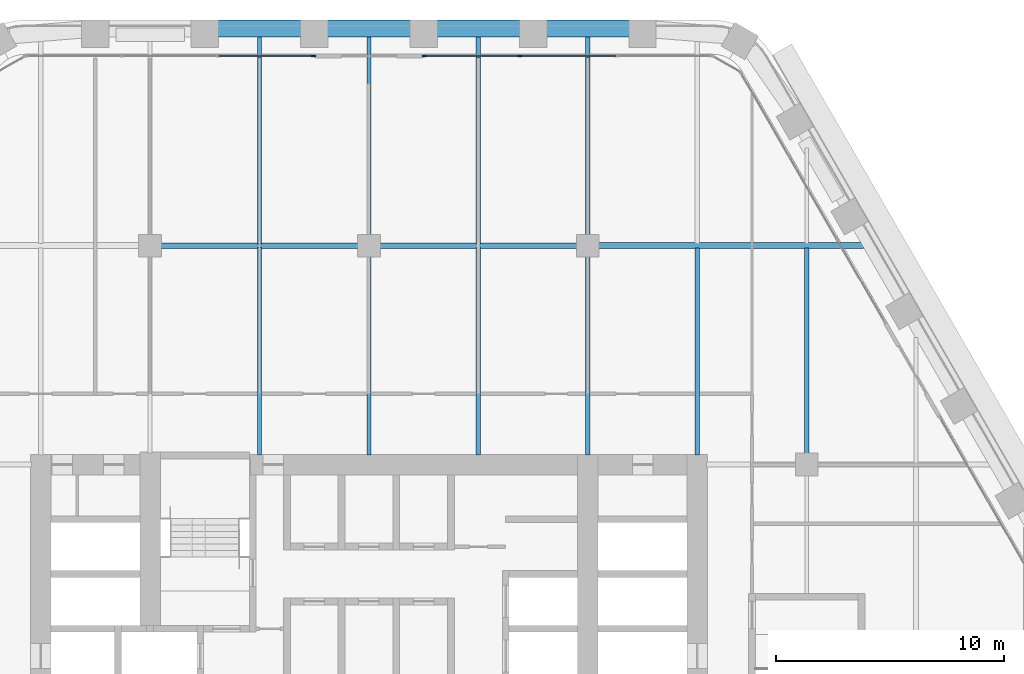
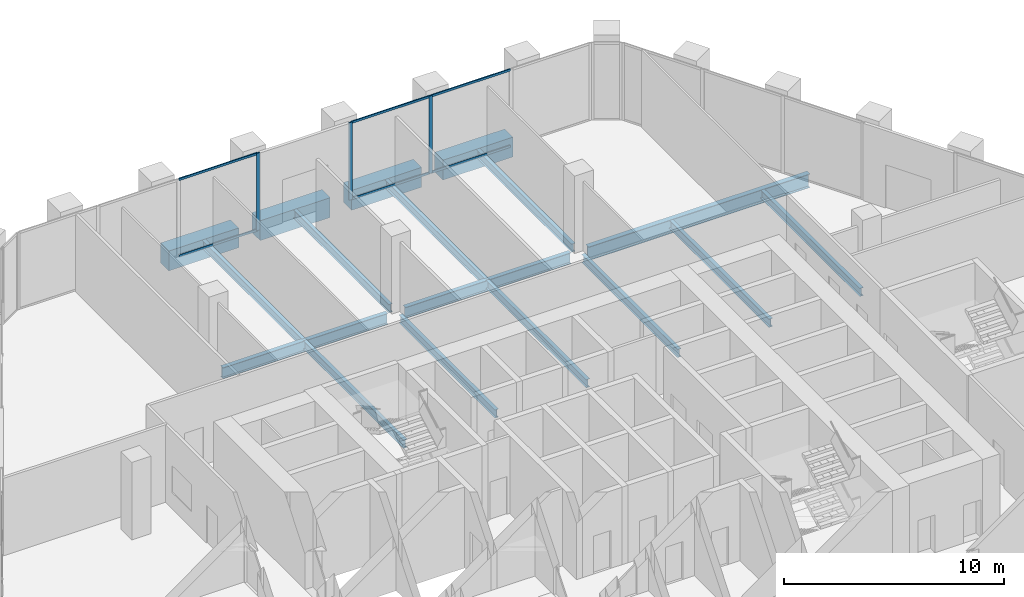
# One storey, part 10 of 27: 17 beams, 9 members, 2 elements without a shape of their own.
"""IFC4 building model written with IfcOpenShell, lengths in metres."""

from ifc_helpers import new_model, si_unit, direction, frame, origin, origin_2d, place, context, subcontext, project, spatial, rectangle, i_section, extrude, material, material_profile, profile_set, type_object, element, aggregate, save


model = new_model("IFC4")

# Units and contexts
model_context = context("Model", 3, precision=1e-05, world=origin(), true_north=direction((0.0, 1.0)))
body_context = subcontext(model_context, "Body", "Model", "MODEL_VIEW")
ifc_project = project(units=[si_unit("LENGTHUNIT", "METRE"), si_unit("AREAUNIT", "SQUARE_METRE"), si_unit("VOLUMEUNIT", "CUBIC_METRE"), si_unit("PLANEANGLEUNIT", "RADIAN"), si_unit("MASSUNIT", "GRAM", prefix="KILO")], contexts=[model_context])

# Site, building, storey
site_placement = place(None, origin())
site = spatial("IfcSite", under=ifc_project, at=site_placement, CompositionType="ELEMENT")
building_placement = place(site_placement, origin())
building = spatial("IfcBuilding", under=site, at=building_placement, Name="Kolab Exchange Tower", CompositionType="ELEMENT")
storey_placement = place(building_placement, frame((0.0, 0.0, 109.39990234375)))
storey = spatial("IfcBuildingStorey", under=building, at=storey_placement, Name="L21", CompositionType="ELEMENT", Elevation=109.39990234375)

# Beams
ifc_material_1 = material(Name="Steel S355", Category="steel")
ifc_material_profile_1 = material_profile(ifc_material_1, i_section(OverallWidth=0.18994140625, OverallDepth=0.45703125, WebThickness=0.009033203125, FlangeThickness=0.014404296875, at=origin_2d()), Name="W460X74")
ifc_profile_set_1 = profile_set([ifc_material_profile_1], Name="Steel S355")
beam_type_1 = type_object("IfcBeamType", Name="FLOOR BEAM W460X74", PredefinedType="BEAM", material=ifc_profile_set_1)
beam_1_placement = place(storey_placement, frame((-4.800048828125, 10.010009765625, -0.428466796875), z_axis=(0.0, 1.0, 0.0), x_axis=(-1.0, 0.0, 0.0)))
element("IfcBeam", 1, at=beam_1_placement, inside=storey, type_object=beam_type_1, Name="beam/L21/fr/022", PredefinedType="BEAM", context=body_context, shape_type="SweptSolid", body=[
    extrude(i_section(OverallWidth=0.18994140625, OverallDepth=0.45703125, WebThickness=0.009033203125, FlangeThickness=0.014404296875, at=origin_2d()), origin(), (0.0, 0.0, 1.0), 9.115966796875),
])
beam_2_placement = place(storey_placement, frame((-4.800048828125, 19.27392578125, -0.428466796875), z_axis=(0.0, 1.0, 0.0), x_axis=(-1.0, 0.0, 0.0)))
element("IfcBeam", 2, at=beam_2_placement, inside=storey, type_object=beam_type_1, Name="beam/L21/fr/023", PredefinedType="BEAM", context=body_context, shape_type="SweptSolid", body=[
    extrude(i_section(OverallWidth=0.18994140625, OverallDepth=0.45703125, WebThickness=0.009033203125, FlangeThickness=0.014404296875, at=origin_2d()), origin(), (0.0, 0.0, 1.0), 9.114501953125),
])
beam_3_placement = place(storey_placement, frame((0.0, 10.010009765625, -0.428466796875), z_axis=(0.0, 1.0, 0.0), x_axis=(-1.0, 0.0, 0.0)))
element("IfcBeam", 3, at=beam_3_placement, inside=storey, type_object=beam_type_1, Name="beam/L21/fr/026", PredefinedType="BEAM", context=body_context, shape_type="SweptSolid", body=[
    extrude(i_section(OverallWidth=0.18994140625, OverallDepth=0.45703125, WebThickness=0.009033203125, FlangeThickness=0.014404296875, at=origin_2d()), origin(), (0.0, 0.0, 1.0), 8.72998046875),
])
beam_4_placement = place(storey_placement, frame((0.0, 19.659912109375, -0.428466796875), z_axis=(0.0, 1.0, 0.0), x_axis=(-1.0, 0.0, 0.0)))
element("IfcBeam", 4, at=beam_4_placement, inside=storey, type_object=beam_type_1, Name="beam/L21/fr/027", PredefinedType="BEAM", context=body_context, shape_type="SweptSolid", body=[
    extrude(i_section(OverallWidth=0.18994140625, OverallDepth=0.45703125, WebThickness=0.009033203125, FlangeThickness=0.014404296875, at=origin_2d()), origin(), (0.0, 0.0, 1.0), 8.728515625),
])
beam_5_placement = place(storey_placement, frame((4.800048828125, 10.010009765625, -0.428466796875), z_axis=(0.0, 1.0, 0.0), x_axis=(-1.0, 0.0, 0.0)))
element("IfcBeam", 5, at=beam_5_placement, inside=storey, type_object=beam_type_1, Name="beam/L21/fr/030", PredefinedType="BEAM", context=body_context, shape_type="SweptSolid", body=[
    extrude(i_section(OverallWidth=0.18994140625, OverallDepth=0.45703125, WebThickness=0.009033203125, FlangeThickness=0.014404296875, at=origin_2d()), origin(), (0.0, 0.0, 1.0), 9.115966796875),
])
beam_6_placement = place(storey_placement, frame((4.800048828125, 19.27392578125, -0.428466796875), z_axis=(0.0, 1.0, 0.0), x_axis=(-1.0, 0.0, 0.0)))
element("IfcBeam", 6, at=beam_6_placement, inside=storey, type_object=beam_type_1, Name="beam/L21/fr/031", PredefinedType="BEAM", context=body_context, shape_type="SweptSolid", body=[
    extrude(i_section(OverallWidth=0.18994140625, OverallDepth=0.45703125, WebThickness=0.009033203125, FlangeThickness=0.014404296875, at=origin_2d()), origin(), (0.0, 0.0, 1.0), 9.114501953125),
])
beam_7_placement = place(storey_placement, frame((9.60009765625, 10.010009765625, -0.428466796875), z_axis=(0.0, 1.0, 0.0), x_axis=(-1.0, 0.0, 0.0)))
element("IfcBeam", 7, at=beam_7_placement, inside=storey, type_object=beam_type_1, Name="beam/L21/fr/034", PredefinedType="BEAM", context=body_context, shape_type="SweptSolid", body=[
    extrude(i_section(OverallWidth=0.18994140625, OverallDepth=0.45703125, WebThickness=0.009033203125, FlangeThickness=0.014404296875, at=origin_2d()), origin(), (0.0, 0.0, 1.0), 8.72998046875),
])
beam_8_placement = place(storey_placement, frame((9.60009765625, 19.659912109375, -0.428466796875), z_axis=(0.0, 1.0, 0.0), x_axis=(-1.0, 0.0, 0.0)))
element("IfcBeam", 8, at=beam_8_placement, inside=storey, type_object=beam_type_1, Name="beam/L21/fr/035", PredefinedType="BEAM", context=body_context, shape_type="SweptSolid", body=[
    extrude(i_section(OverallWidth=0.18994140625, OverallDepth=0.45703125, WebThickness=0.009033203125, FlangeThickness=0.014404296875, at=origin_2d()), origin(), (0.0, 0.0, 1.0), 8.728515625),
])
beam_9_placement = place(storey_placement, frame((14.39990234375, 10.010009765625, -0.428466796875), z_axis=(0.0, 1.0, 0.0), x_axis=(-1.0, 0.0, 0.0)))
element("IfcBeam", 9, at=beam_9_placement, inside=storey, type_object=beam_type_1, Name="beam/L21/fr/038", PredefinedType="BEAM", context=body_context, shape_type="SweptSolid", body=[
    extrude(i_section(OverallWidth=0.18994140625, OverallDepth=0.45703125, WebThickness=0.009033203125, FlangeThickness=0.014404296875, at=origin_2d()), origin(), (0.0, 0.0, 1.0), 9.096435546875),
])
beam_10_placement = place(storey_placement, frame((19.199951171875, 10.06005859375, -0.428466796875), z_axis=(0.0, 1.0, 0.0), x_axis=(-1.0, 0.0, 0.0)))
element("IfcBeam", 10, at=beam_10_placement, inside=storey, type_object=beam_type_1, Name="beam/L21/fr/044", PredefinedType="BEAM", context=body_context, shape_type="SweptSolid", body=[
    extrude(i_section(OverallWidth=0.18994140625, OverallDepth=0.45703125, WebThickness=0.009033203125, FlangeThickness=0.014404296875, at=origin_2d()), origin(), (0.0, 0.0, 1.0), 9.04638671875),
])
ifc_material_profile_2 = material_profile(ifc_material_1, i_section(OverallWidth=0.22802734375, OverallDepth=0.60791015625, WebThickness=0.01123046875, FlangeThickness=0.017333984375, at=origin_2d()), Name="W610X113")
ifc_profile_set_2 = profile_set([ifc_material_profile_2], Name="Steel S355")
beam_type_2 = type_object("IfcBeamType", Name="FLOOR GIRDER W610X113", PredefinedType="BEAM", material=ifc_profile_set_2)
for number, where, z_axis, x_axis, name in (
    (11, (-9.139892578125, 19.199951171875, -0.50390625), (1.0, 0.0, 0.0), (0.0, 1.0, 0.0), "beam/L21/gd/009"),
    (12, (0.4599609375, 19.199951171875, -0.50390625), (1.0, 0.0, 0.0), (0.0, 1.0, 0.0), "beam/L21/gd/011"),
):
    element("IfcBeam", number, at=place(storey_placement, frame(where, z_axis=z_axis, x_axis=x_axis)), inside=storey, type_object=beam_type_2, Name=name, PredefinedType="BEAM", context=body_context, shape_type="SweptSolid", body=[
        extrude(i_section(OverallWidth=0.22802734375, OverallDepth=0.60791015625, WebThickness=0.01123046875, FlangeThickness=0.017333984375, at=origin_2d()), origin(), (0.0, 0.0, 1.0), 8.679931640625),
    ])
ifc_material_profile_3 = material_profile(ifc_material_1, i_section(OverallWidth=0.26708984375, OverallDepth=0.761962890625, WebThickness=0.014404296875, FlangeThickness=0.021484375, at=origin_2d()), Name="W760X173")
ifc_profile_set_3 = profile_set([ifc_material_profile_3], Name="Steel S355")
beam_type_3 = type_object("IfcBeamType", Name="FLOOR GIRDER W760X173", PredefinedType="BEAM", material=ifc_profile_set_3)
beam_11_placement = place(storey_placement, frame((10.06005859375, 19.199951171875, -0.580810546875), z_axis=(1.0, 0.0, 0.0), x_axis=(0.0, 1.0, 0.0)))
element("IfcBeam", 13, at=beam_11_placement, inside=storey, type_object=beam_type_3, Name="beam/L21/gd/013", PredefinedType="BEAM", context=body_context, shape_type="SweptSolid", body=[
    extrude(i_section(OverallWidth=0.26708984375, OverallDepth=0.761962890625, WebThickness=0.014404296875, FlangeThickness=0.021484375, at=origin_2d()), origin(), (0.0, 0.0, 1.0), 11.628662109375),
])
ifc_material_2 = material(Name="Concrete C70/85", Category="concrete")
ifc_material_profile_4 = material_profile(ifc_material_2, rectangle(XDim=0.75, YDim=1.10009765625, at=origin_2d()), Name="RC750X1100")
ifc_profile_set_4 = profile_set([ifc_material_profile_4], Name="Concrete C70/85")
beam_type_4 = type_object("IfcBeamType", Name="SPANDREL BEAM 750X1100 C70/85", PredefinedType="BEAM", material=ifc_profile_set_4)
beam_12_placement = place(storey_placement, frame((-6.639892578125, 28.723388671875, -0.75), z_axis=(1.0, 0.0, 0.0), x_axis=(0.0, 1.0, 0.0)))
element("IfcBeam", 14, at=beam_12_placement, inside=storey, type_object=beam_type_4, Name="beam/L21/sp/F1-03", PredefinedType="BEAM", context=body_context, shape_type="SweptSolid", body=[
    extrude(rectangle(XDim=0.75, YDim=1.10009765625, at=origin_2d()), origin(), (0.0, 0.0, 1.0), 3.679931640625),
])
beam_13_placement = place(storey_placement, frame((-1.840087890625, 28.723388671875, -0.75), z_axis=(1.0, 0.0, 0.0), x_axis=(0.0, 1.0, 0.0)))
element("IfcBeam", 15, at=beam_13_placement, inside=storey, type_object=beam_type_4, Name="beam/L21/sp/F1-04", PredefinedType="BEAM", context=body_context, shape_type="SweptSolid", body=[
    extrude(rectangle(XDim=0.75, YDim=1.10009765625, at=origin_2d()), origin(), (0.0, 0.0, 1.0), 3.68017578125),
])
for number, where, z_axis, x_axis, name in (
    (16, (2.9599609375, 28.723388671875, -0.75), (1.0, 0.0, 0.0), (0.0, 1.0, 0.0), "beam/L21/sp/F1-05"),
    (17, (7.760009765625, 28.723388671875, -0.75), (1.0, 0.0, 0.0), (0.0, 1.0, 0.0), "beam/L21/sp/F1-06"),
):
    element("IfcBeam", number, at=place(storey_placement, frame(where, z_axis=z_axis, x_axis=x_axis)), inside=storey, type_object=beam_type_4, Name=name, PredefinedType="BEAM", context=body_context, shape_type="SweptSolid", body=[
        extrude(rectangle(XDim=0.75, YDim=1.10009765625, at=origin_2d()), origin(), (0.0, 0.0, 1.0), 3.679931640625),
    ])

# Curtain wall, member
ifc_material_3 = material(Name="Aluminium EN AW-6063 T6", Category="aluminium")
curtain_wall_type = type_object("IfcCurtainWallType", Name="UNITISED LOWER MID ZONE CURTAIN WALL", PredefinedType="NOTDEFINED", material=ifc_material_3)
curtain_wall_1_placement = place(storey_placement, origin())
curtain_wall_1 = element("IfcCurtainWall", 18, at=curtain_wall_1_placement, inside=storey, type_object=curtain_wall_type, Name="cw/L21/F1-1", PredefinedType="NOTDEFINED")
ifc_material_profile_5 = material_profile(ifc_material_3, rectangle(XDim=0.06005859375, YDim=0.179931640625, at=origin_2d()), Name="RECT 60X180")
ifc_profile_set_5 = profile_set([ifc_material_profile_5], Name="Aluminium EN AW-6063 T6")
member_type_1 = type_object("IfcMemberType", Name="UNITISED LOWER MID ZONE MULLION 60 X 180", PredefinedType="MULLION", material=ifc_profile_set_5)
member_1_placement = place(storey_placement, frame((-2.429931640625, 27.5185546875, 0.0), z_axis=(0.0, 0.0, 1.0), x_axis=(0.0, 1.0, 0.0)))
member_1 = element("IfcMember", 19, at=member_1_placement, type_object=member_type_1, Name="CW2 mullion 4", PredefinedType="MULLION", context=body_context, shape_type="SweptSolid", body=[
    extrude(rectangle(XDim=0.06005859375, YDim=0.179931640625, at=origin_2d()), origin(), (0.0, 0.0, 1.0), 4.300048828125),
])

# Curtain wall, members
curtain_wall_2_placement = place(storey_placement, origin())
curtain_wall_2 = element("IfcCurtainWall", 20, at=curtain_wall_2_placement, inside=storey, type_object=curtain_wall_type, Name="cw/L21/F1-2", PredefinedType="NOTDEFINED")
member_2_placement = place(storey_placement, frame((2.429931640625, 27.5185546875, 0.0), z_axis=(0.0, 0.0, 1.0), x_axis=(0.0, 1.0, 0.0)))
member_2 = element("IfcMember", 21, at=member_2_placement, type_object=member_type_1, Name="CW2 mullion 1", PredefinedType="MULLION", context=body_context, shape_type="SweptSolid", body=[
    extrude(rectangle(XDim=0.06005859375, YDim=0.179931640625, at=origin_2d()), origin(), (0.0, 0.0, 1.0), 4.300048828125),
])
member_3_placement = place(storey_placement, frame((6.62255859375, 27.5185546875, 0.0), z_axis=(0.0, 0.0, 1.0), x_axis=(0.0, 1.0, 0.0)))
member_3 = element("IfcMember", 22, at=member_3_placement, type_object=member_type_1, Name="CW2 mullion 2", PredefinedType="MULLION", context=body_context, shape_type="SweptSolid", body=[
    extrude(rectangle(XDim=0.06005859375, YDim=0.179931640625, at=origin_2d()), origin(), (0.0, 0.0, 1.0), 4.300048828125),
])

# Member
ifc_material_profile_6 = material_profile(ifc_material_3, rectangle(XDim=0.06005859375, YDim=0.1201171875, at=origin_2d()), Name="RECT 60X120")
ifc_profile_set_6 = profile_set([ifc_material_profile_6], Name="Aluminium EN AW-6063 T6")
member_type_2 = type_object("IfcMemberType", Name="UNITISED LOWER MID ZONE TRANSOM 60 X 120", PredefinedType="USERDEFINED", material=ifc_profile_set_6)
member_4_placement = place(storey_placement, frame((-6.592529296875, 27.5185546875, 0.030029296875), z_axis=(1.0, 0.0, 0.0), x_axis=(0.0, 1.0, 0.0)))
member_4 = element("IfcMember", 23, at=member_4_placement, type_object=member_type_2, Name="CW2 transom 3.1", ObjectType="TRANSOM", PredefinedType="USERDEFINED", context=body_context, shape_type="SweptSolid", body=[
    extrude(rectangle(XDim=0.06005859375, YDim=0.1201171875, at=origin_2d()), origin(), (0.0, 0.0, 1.0), 4.132568359375),
])

member_5_placement = place(storey_placement, frame((-6.592529296875, 27.5185546875, 4.27001953125), z_axis=(1.0, 0.0, 0.0), x_axis=(0.0, 1.0, 0.0)))
member_5 = element("IfcMember", 24, at=member_5_placement, type_object=member_type_2, Name="CW2 transom 3.2", ObjectType="TRANSOM", PredefinedType="USERDEFINED", context=body_context, shape_type="SweptSolid", body=[
    extrude(rectangle(XDim=0.06005859375, YDim=0.1201171875, at=origin_2d()), origin(), (0.0, 0.0, 1.0), 4.132568359375),
])

aggregate(curtain_wall_1, [member_1, member_4, member_5])

member_6_placement = place(storey_placement, frame((2.4599609375, 27.5185546875, 0.030029296875), z_axis=(1.0, 0.0, 0.0), x_axis=(0.0, 1.0, 0.0)))
member_6 = element("IfcMember", 25, at=member_6_placement, type_object=member_type_2, Name="CW2 transom 1.1", ObjectType="TRANSOM", PredefinedType="USERDEFINED", context=body_context, shape_type="SweptSolid", body=[
    extrude(rectangle(XDim=0.06005859375, YDim=0.1201171875, at=origin_2d()), origin(), (0.0, 0.0, 1.0), 4.132568359375),
])

member_7_placement = place(storey_placement, frame((2.4599609375, 27.5185546875, 4.27001953125), z_axis=(1.0, 0.0, 0.0), x_axis=(0.0, 1.0, 0.0)))
member_7 = element("IfcMember", 26, at=member_7_placement, type_object=member_type_2, Name="CW2 transom 1.2", ObjectType="TRANSOM", PredefinedType="USERDEFINED", context=body_context, shape_type="SweptSolid", body=[
    extrude(rectangle(XDim=0.06005859375, YDim=0.1201171875, at=origin_2d()), origin(), (0.0, 0.0, 1.0), 4.132568359375),
])

member_8_placement = place(storey_placement, frame((6.652587890625, 27.5185546875, 0.030029296875), z_axis=(1.0, 0.0, 0.0), x_axis=(0.0, 1.0, 0.0)))
member_8 = element("IfcMember", 27, at=member_8_placement, type_object=member_type_2, Name="CW2 transom 2.1", ObjectType="TRANSOM", PredefinedType="USERDEFINED", context=body_context, shape_type="SweptSolid", body=[
    extrude(rectangle(XDim=0.06005859375, YDim=0.1201171875, at=origin_2d()), origin(), (0.0, 0.0, 1.0), 4.16259765625),
])

member_9_placement = place(storey_placement, frame((6.652587890625, 27.5185546875, 4.27001953125), z_axis=(1.0, 0.0, 0.0), x_axis=(0.0, 1.0, 0.0)))
member_9 = element("IfcMember", 28, at=member_9_placement, type_object=member_type_2, Name="CW2 transom 2.2", ObjectType="TRANSOM", PredefinedType="USERDEFINED", context=body_context, shape_type="SweptSolid", body=[
    extrude(rectangle(XDim=0.06005859375, YDim=0.1201171875, at=origin_2d()), origin(), (0.0, 0.0, 1.0), 4.16259765625),
])

aggregate(curtain_wall_2, [member_2, member_3, member_6, member_7, member_8, member_9])

save(model, "model.ifc")
